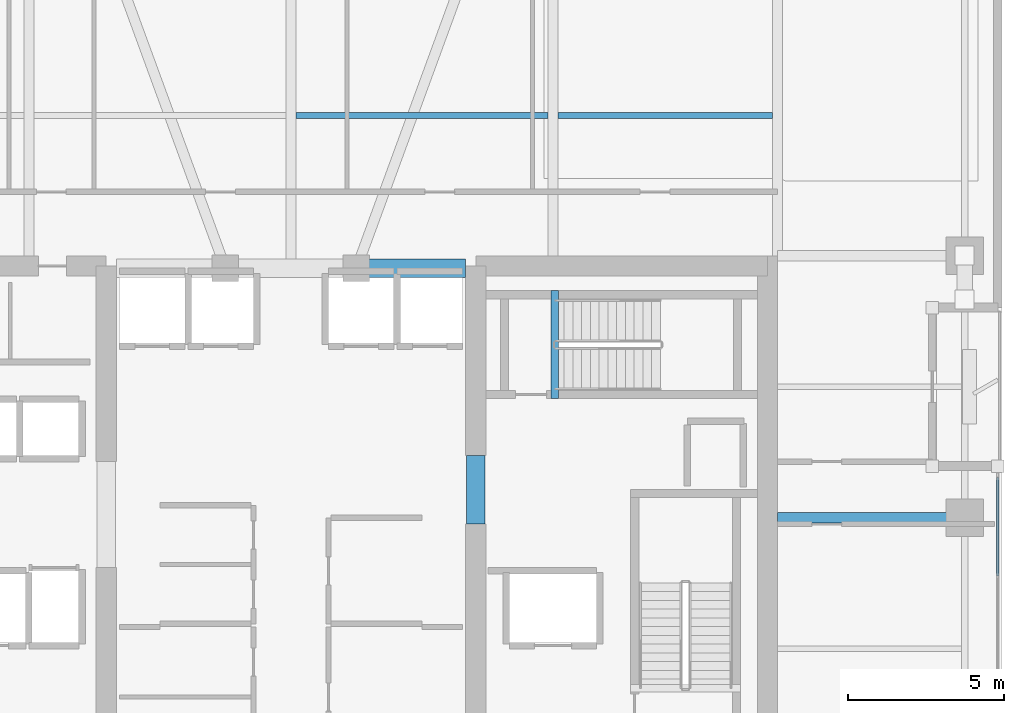
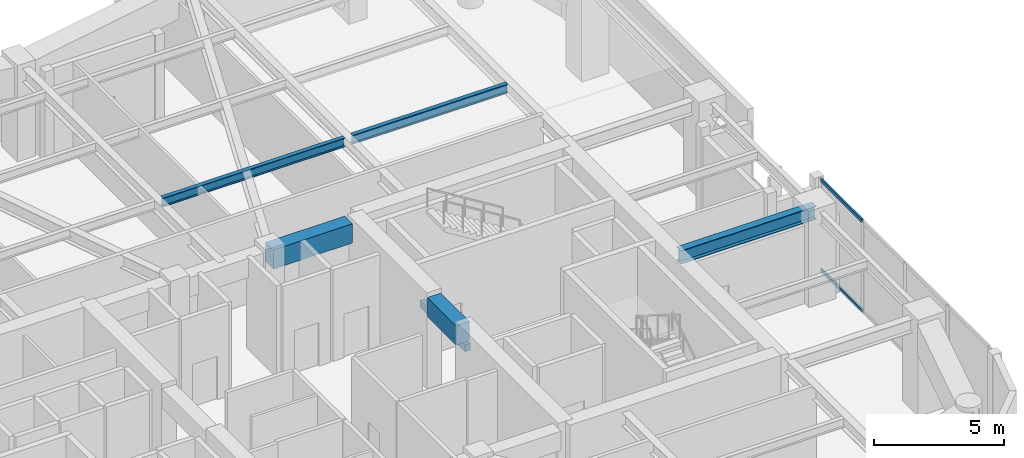
# One storey, part 5 of 21: 6 beams, 2 members, 1 element without a shape of its own.
"""IFC4 building model written with IfcOpenShell, lengths in metres."""

from ifc_helpers import new_model, si_unit, direction, frame, origin, origin_2d, place, context, subcontext, project, spatial, rectangle, hollow_rectangle, i_section, extrude, material, layer, layer_set, material_profile, profile_set, type_object, element, aggregate, save


model = new_model("IFC4")

# Units and contexts
model_context = context("Model", 3, precision=1e-05, world=origin(), true_north=direction((0.0, 1.0)))
body_context = subcontext(model_context, "Body", "Model", "MODEL_VIEW")
ifc_project = project(units=[si_unit("LENGTHUNIT", "METRE"), si_unit("AREAUNIT", "SQUARE_METRE"), si_unit("VOLUMEUNIT", "CUBIC_METRE"), si_unit("PLANEANGLEUNIT", "RADIAN"), si_unit("MASSUNIT", "GRAM", prefix="KILO")], contexts=[model_context])

# Site, building, storey
site_placement = place(None, origin())
site = spatial("IfcSite", under=ifc_project, at=site_placement, CompositionType="ELEMENT")
building_placement = place(site_placement, origin())
building = spatial("IfcBuilding", under=site, at=building_placement, Name="Kiyonajd Concourse Tower", CompositionType="ELEMENT")
storey_placement = place(building_placement, frame((0.0, 0.0, 181.800048828125)))
storey = spatial("IfcBuildingStorey", under=building, at=storey_placement, Name="L46", CompositionType="ELEMENT", Elevation=181.800048828125)

# Beams
ifc_material_1 = material(Name="Concrete C60/75", Category="concrete")
ifc_material_profile_1 = material_profile(ifc_material_1, rectangle(XDim=0.60009765625, YDim=0.89990234375, at=origin_2d()), Name="RCBM-600x900")
ifc_profile_set_1 = profile_set([ifc_material_profile_1], Name="Concrete C60/75")
beam_type_1 = type_object("IfcBeamType", Name="BM-COUP-900", PredefinedType="LINTEL", material=ifc_profile_set_1)
beam_1_placement = place(storey_placement, frame((50.10009765625, 44.0, 3.829833984375), z_axis=(1.0, 0.0, 0.0), x_axis=(0.0, 1.0, 0.0)))
element("IfcBeam", 1, at=beam_1_placement, inside=storey, type_object=beam_type_1, Name="L46 Core Coupling Beam N3", PredefinedType="LINTEL", context=body_context, shape_type="SweptSolid", body=[
    extrude(rectangle(XDim=0.60009765625, YDim=0.89990234375, at=origin_2d()), origin(), (0.0, 0.0, 1.0), 3.5),
])
beam_2_placement = place(storey_placement, frame((53.925048828125, 35.800048828125, 3.829833984375), z_axis=(0.0, 1.0, 0.0), x_axis=(-1.0, 0.0, 0.0)))
element("IfcBeam", 2, at=beam_2_placement, inside=storey, type_object=beam_type_1, Name="L46 East Core Throat Coupling Lintel", PredefinedType="LINTEL", context=body_context, shape_type="SweptSolid", body=[
    extrude(rectangle(XDim=0.60009765625, YDim=0.89990234375, at=origin_2d()), origin(), (0.0, 0.0, 1.0), 2.199951171875),
])
ifc_material_2 = material(Name="Steel ASTM A992 Grade 50", Category="steel")
ifc_material_profile_2 = material_profile(ifc_material_2, i_section(OverallWidth=0.180908203125, OverallDepth=0.4169921875, WebThickness=0.010986328125, FlangeThickness=0.018310546875, at=origin_2d()), Name="W410X85")
ifc_profile_set_2 = profile_set([ifc_material_profile_2], Name="Steel ASTM A992 Grade 50")
beam_type_2 = type_object("IfcBeamType", Name="BM-JST-410", PredefinedType="JOIST", material=ifc_profile_set_2)
beam_3_placement = place(storey_placement, frame((48.16357421875, 48.89990234375, 4.071533203125), z_axis=(1.0, 0.0, 0.0), x_axis=(0.0, 1.0, 0.0)))
element("IfcBeam", 3, at=beam_3_placement, inside=storey, type_object=beam_type_2, Name="L46 Secondary Floor Joist", PredefinedType="JOIST", context=body_context, shape_type="SweptSolid", body=[
    extrude(i_section(OverallWidth=0.180908203125, OverallDepth=0.4169921875, WebThickness=0.010986328125, FlangeThickness=0.018310546875, at=origin_2d()), origin(), (0.0, 0.0, 1.0), 8.072998046875),
])
beam_4_placement = place(storey_placement, frame((56.5634765625, 48.89990234375, 4.071533203125), z_axis=(1.0, 0.0, 0.0), x_axis=(0.0, 1.0, 0.0)))
element("IfcBeam", 4, at=beam_4_placement, inside=storey, type_object=beam_type_2, Name="L46 Secondary Floor Joist", PredefinedType="JOIST", context=body_context, shape_type="SweptSolid", body=[
    extrude(i_section(OverallWidth=0.180908203125, OverallDepth=0.4169921875, WebThickness=0.010986328125, FlangeThickness=0.018310546875, at=origin_2d()), origin(), (0.0, 0.0, 1.0), 6.873046875),
])
ifc_material_3 = material(Name="Concrete C50/60", Category="concrete")
ifc_material_profile_3 = material_profile(ifc_material_3, rectangle(XDim=0.239990234375, YDim=0.320068359375, at=origin_2d()), Name="RCBM-240x320")
ifc_profile_set_3 = profile_set([ifc_material_profile_3], Name="Concrete C50/60")
beam_type_3 = type_object("IfcBeamType", Name="BM-LNT-250", PredefinedType="LINTEL", material=ifc_profile_set_3)
beam_5_placement = place(storey_placement, frame((56.4599609375, 39.820068359375, -0.16015625), z_axis=(0.0, 1.0, 0.0), x_axis=(-1.0, 0.0, 0.0)))
element("IfcBeam", 5, at=beam_5_placement, inside=storey, type_object=beam_type_3, Name="L46 Stair ST3 Threshold Support Beam", PredefinedType="LINTEL", context=body_context, shape_type="SweptSolid", body=[
    extrude(rectangle(XDim=0.239990234375, YDim=0.320068359375, at=origin_2d()), origin(), (0.0, 0.0, 1.0), 3.4599609375),
])
ifc_material_profile_4 = material_profile(ifc_material_2, i_section(OverallWidth=0.326904296875, OverallDepth=0.6220703125, WebThickness=0.015380859375, FlangeThickness=0.0244140625, at=origin_2d()), Name="W610X195")
ifc_profile_set_4 = profile_set([ifc_material_profile_4], Name="Steel ASTM A992 Grade 50")
beam_type_4 = type_object("IfcBeamType", Name="BM-TWR-610A", PredefinedType="BEAM", material=ifc_profile_set_4)
beam_6_placement = place(storey_placement, frame((63.60009765625, 36.0, 3.968994140625), z_axis=(1.0, 0.0, 0.0), x_axis=(0.0, 1.0, 0.0)))
element("IfcBeam", 6, at=beam_6_placement, inside=storey, type_object=beam_type_4, Name="L46 East Lease Girder", PredefinedType="BEAM", context=body_context, shape_type="SweptSolid", body=[
    extrude(i_section(OverallWidth=0.326904296875, OverallDepth=0.6220703125, WebThickness=0.015380859375, FlangeThickness=0.0244140625, at=origin_2d()), origin(), (0.0, 0.0, 1.0), 6.0),
])

# Curtain wall, members
ifc_material_4 = material(Name="Thermally Broken Anodised Aluminium", Category="aluminium")
ifc_layer = layer(ifc_material_4, 0.179931640625)
ifc_layer_set = layer_set([ifc_layer], Name="Thermally Broken Anodised Aluminium")
curtain_wall_type = type_object("IfcCurtainWallType", Name="CW-SYS-05", PredefinedType="NOTDEFINED", material=ifc_layer_set)
curtain_wall_placement = place(storey_placement, origin())
curtain_wall = element("IfcCurtainWall", 7, at=curtain_wall_placement, inside=storey, type_object=curtain_wall_type, Name="L46 Unitised Curtain Wall CW5", PredefinedType="NOTDEFINED")
ifc_material_profile_5 = material_profile(ifc_material_4, hollow_rectangle(XDim=0.074951171875, YDim=0.159912109375, WallThickness=0.0048828125, at=origin_2d()), Name="TRAN-75x160")
ifc_profile_set_5 = profile_set([ifc_material_profile_5], Name="Thermally Broken Anodised Aluminium")
member_type = type_object("IfcMemberType", Name="MB-CW-TRAN2", PredefinedType="USERDEFINED", material=ifc_profile_set_5)
member_1_placement = place(storey_placement, frame((70.659912109375, 37.294921875, 0.037353515625), z_axis=(0.0, -1.0, 0.0), x_axis=(1.0, 0.0, 0.0)))
member_1 = element("IfcMember", 8, at=member_1_placement, type_object=member_type, Name="CW5 transom 1.1", ObjectType="TRANSOM", PredefinedType="USERDEFINED", context=body_context, shape_type="SweptSolid", body=[
    extrude(hollow_rectangle(XDim=0.074951171875, YDim=0.159912109375, WallThickness=0.0048828125, at=origin_2d()), origin(), (0.0, 0.0, 1.0), 3.15283203125),
])
member_2_placement = place(storey_placement, frame((70.659912109375, 37.294921875, 4.242431640625), z_axis=(0.0, -1.0, 0.0), x_axis=(1.0, 0.0, 0.0)))
member_2 = element("IfcMember", 9, at=member_2_placement, type_object=member_type, Name="CW5 transom 1.2", ObjectType="TRANSOM", PredefinedType="USERDEFINED", context=body_context, shape_type="SweptSolid", body=[
    extrude(hollow_rectangle(XDim=0.074951171875, YDim=0.159912109375, WallThickness=0.0048828125, at=origin_2d()), origin(), (0.0, 0.0, 1.0), 3.15283203125),
])
aggregate(curtain_wall, [member_1, member_2])

save(model, "model.ifc")
